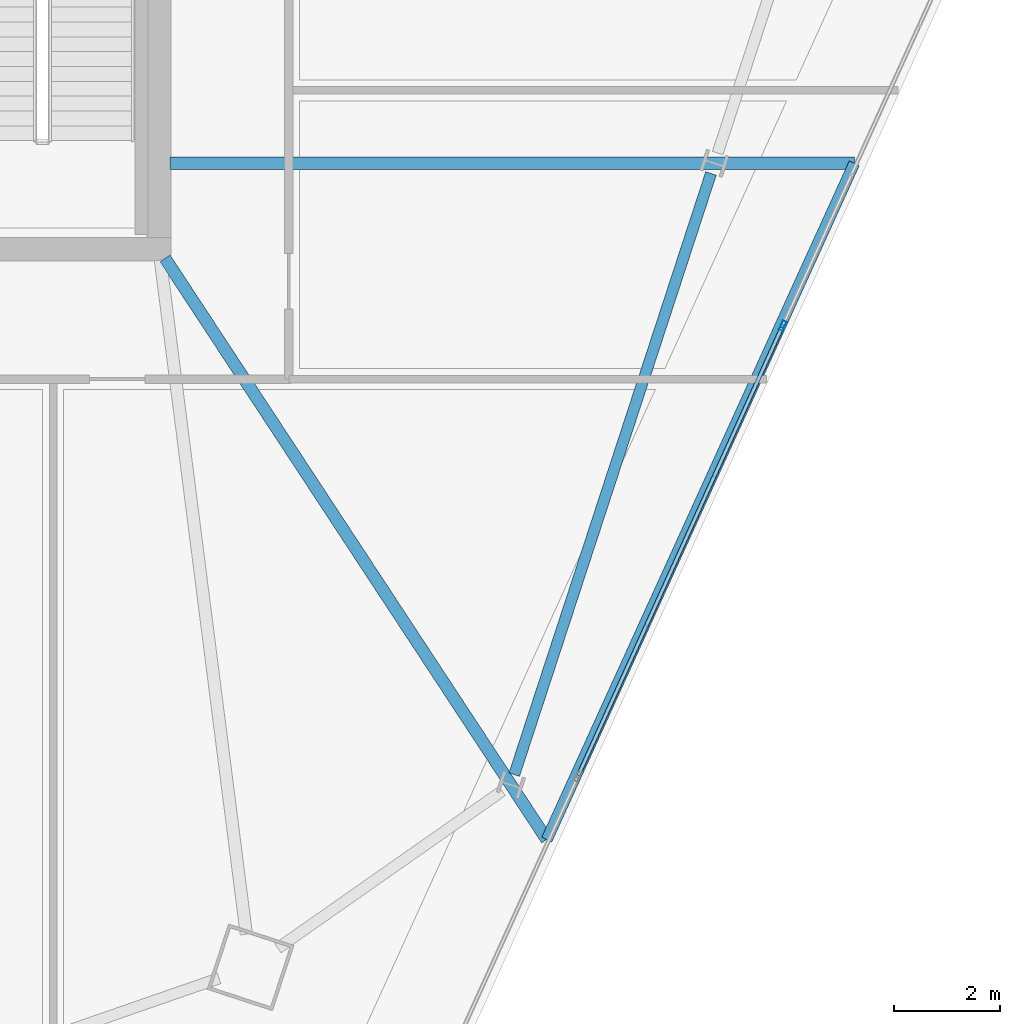
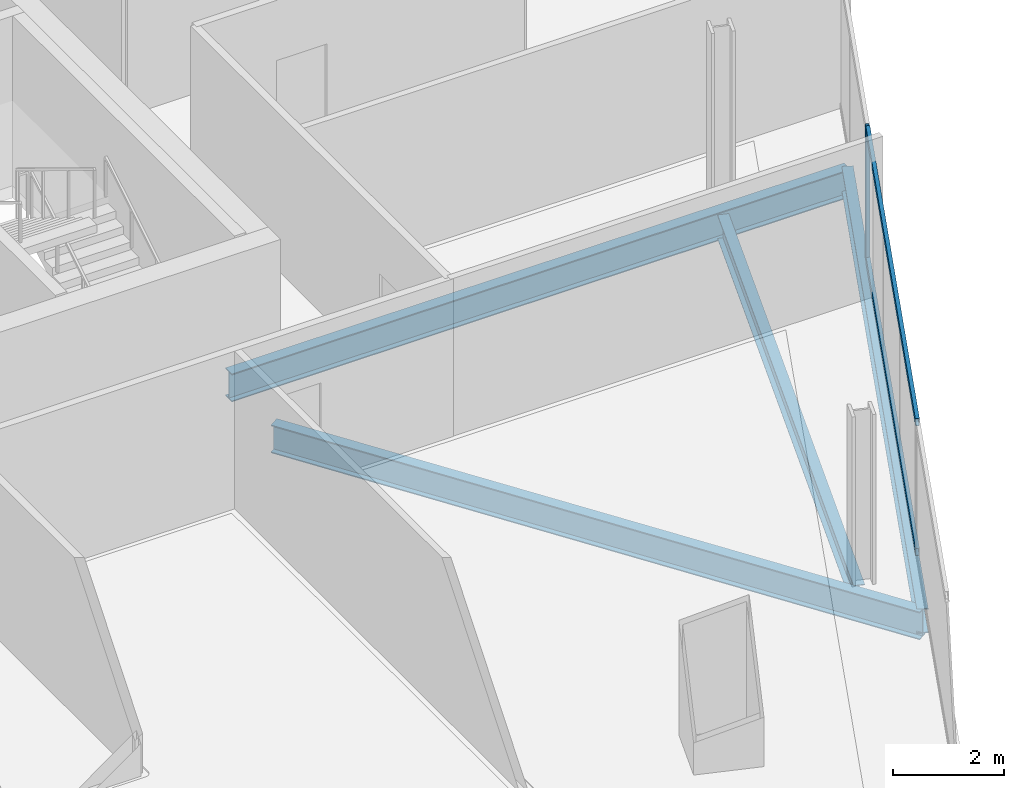
# One storey, part 10 of 26: 4 beams, 3 members, 1 element without a shape of its own.
"""IFC4 building model written with IfcOpenShell, lengths in metres."""

from ifc_helpers import new_model, si_unit, direction, frame, origin, origin_2d, place, context, subcontext, project, spatial, hollow_rectangle, i_section, extrude, material, material_profile, profile_set, type_object, element, aggregate, save


model = new_model("IFC4")

# Units and contexts
model_context = context("Model", 3, precision=1e-05, world=origin(), true_north=direction((0.0, 1.0)))
body_context = subcontext(model_context, "Body", "Model", "MODEL_VIEW")
ifc_project = project(units=[si_unit("LENGTHUNIT", "METRE"), si_unit("AREAUNIT", "SQUARE_METRE"), si_unit("VOLUMEUNIT", "CUBIC_METRE"), si_unit("PLANEANGLEUNIT", "RADIAN"), si_unit("MASSUNIT", "GRAM", prefix="KILO")], contexts=[model_context])

# Site, building, storey
site_placement = place(None, origin())
site = spatial("IfcSite", under=ifc_project, at=site_placement, CompositionType="ELEMENT")
building_placement = place(site_placement, origin())
building = spatial("IfcBuilding", under=site, at=building_placement, Name="Haldenkirk Collegiate Tower", CompositionType="ELEMENT")
storey_placement = place(building_placement, frame((0.0, 0.0, 248.699951171875)))
storey = spatial("IfcBuildingStorey", under=building, at=storey_placement, Name="L62", CompositionType="ELEMENT", Elevation=248.699951171875)

# Beams
ifc_material_1 = material(Name="Steel ASTM A992 Grade 50", Category="steel")
ifc_material_profile_1 = material_profile(ifc_material_1, i_section(OverallWidth=0.22998046875, OverallDepth=0.616943359375, WebThickness=0.01318359375, FlangeThickness=0.022216796875, at=origin_2d()), Name="W24X94")
ifc_profile_set_1 = profile_set([ifc_material_profile_1], Name="Steel ASTM A992 Grade 50")
beam_type_1 = type_object("IfcBeamType", Name="BM-GIRDER-W24X94", PredefinedType="BEAM", material=ifc_profile_set_1)
beam_1_placement = place(storey_placement, frame((52.320556640625, 6.857421875, -0.578369140625), z_axis=(-0.549091042964, 0.835762541956, 0.0), x_axis=(-0.835762541956, -0.549091042964, 0.0)))
element("IfcBeam", 1, at=beam_1_placement, inside=storey, type_object=beam_type_1, Name="L62 primary floor girder 05", PredefinedType="BEAM", context=body_context, shape_type="SweptSolid", body=[
    extrude(i_section(OverallWidth=0.22998046875, OverallDepth=0.616943359375, WebThickness=0.01318359375, FlangeThickness=0.022216796875, at=origin_2d()), origin(), (0.0, 0.0, 1.0), 13.127197265625),
])
beam_2_placement = place(storey_placement, frame((58.125244140625, 19.624267578125, -0.578369140625), z_axis=(-1.0, 0.0, 0.0), x_axis=(0.0, -1.0, 0.0)))
element("IfcBeam", 2, at=beam_2_placement, inside=storey, type_object=beam_type_1, Name="L62 primary floor girder 06", PredefinedType="BEAM", context=body_context, shape_type="SweptSolid", body=[
    extrude(i_section(OverallWidth=0.22998046875, OverallDepth=0.616943359375, WebThickness=0.01318359375, FlangeThickness=0.022216796875, at=origin_2d()), origin(), (0.0, 0.0, 1.0), 12.920166015625),
])
ifc_material_profile_2 = material_profile(ifc_material_1, i_section(OverallWidth=0.2099609375, OverallDepth=0.537109375, WebThickness=0.010986328125, FlangeThickness=0.017333984375, at=origin_2d()), Name="W21X68")
ifc_profile_set_2 = profile_set([ifc_material_profile_2], Name="Steel ASTM A992 Grade 50")
beam_type_2 = type_object("IfcBeamType", Name="BM-SPANDREL-W21X68", PredefinedType="SPANDREL", material=ifc_profile_set_2)
beam_3_placement = place(storey_placement, frame((51.7060546875, 8.081298828125, -0.538330078125), z_axis=(0.311010188249, 0.950406577631, 0.0), x_axis=(-0.950406577631, 0.311010188249, 0.0)))
element("IfcBeam", 3, at=beam_3_placement, inside=storey, type_object=beam_type_2, Name="L62 perimeter spandrel beam 02", PredefinedType="SPANDREL", context=body_context, shape_type="SweptSolid", body=[
    extrude(i_section(OverallWidth=0.2099609375, OverallDepth=0.537109375, WebThickness=0.010986328125, FlangeThickness=0.017333984375, at=origin_2d()), origin(), (0.0, 0.0, 1.0), 11.94287109375),
])
beam_4_placement = place(storey_placement, frame((52.320556640625, 6.857421875, -0.538330078125), z_axis=(0.413896063791, 0.910324144675, 0.0), x_axis=(-0.910324144675, 0.413896063791, 0.0)))
element("IfcBeam", 4, at=beam_4_placement, inside=storey, type_object=beam_type_2, Name="L62 outer facade edge beam 1", PredefinedType="SPANDREL", context=body_context, shape_type="SweptSolid", body=[
    extrude(i_section(OverallWidth=0.2099609375, OverallDepth=0.537109375, WebThickness=0.010986328125, FlangeThickness=0.017333984375, at=origin_2d()), origin(), (0.0, 0.0, 1.0), 14.0244140625),
])

# Curtain wall, members
ifc_material_2 = material(Name="Anodised architectural bronze aluminium", Category="aluminium")
curtain_wall_type = type_object("IfcCurtainWallType", Name="CW-SYS2-CONCAVE", PredefinedType="USERDEFINED", material=ifc_material_2)
curtain_wall_placement = place(storey_placement, origin())
curtain_wall = element("IfcCurtainWall", 5, at=curtain_wall_placement, inside=storey, type_object=curtain_wall_type, Name="L62 South concave recessed bronze-anodised curtain wall", ObjectType="UNITISED CURTAIN WALL", PredefinedType="USERDEFINED")
ifc_material_profile_3 = material_profile(ifc_material_2, hollow_rectangle(XDim=0.074951171875, YDim=0.18994140625, WallThickness=0.0048828125, at=origin_2d()), Name="CW-MUL-02")
ifc_profile_set_3 = profile_set([ifc_material_profile_3], Name="Anodised architectural bronze aluminium")
member_type_1 = type_object("IfcMemberType", Name="CW-MUL-02", PredefinedType="MULLION", material=ifc_profile_set_3)
member_1_placement = place(storey_placement, frame((56.7734375, 16.554931640625, 0.0), z_axis=(0.0, 0.0, 1.0), x_axis=(0.910323160651, -0.413898228049, 0.0)))
member_1 = element("IfcMember", 6, at=member_1_placement, type_object=member_type_1, Name="CW-02 mullion 3", PredefinedType="MULLION", context=body_context, shape_type="SweptSolid", body=[
    extrude(hollow_rectangle(XDim=0.074951171875, YDim=0.18994140625, WallThickness=0.0048828125, at=origin_2d()), origin(), (0.0, 0.0, 1.0), 2.93798828125),
])
ifc_material_profile_4 = material_profile(ifc_material_2, hollow_rectangle(XDim=0.074951171875, YDim=0.159912109375, WallThickness=0.0048828125, at=origin_2d()), Name="CW-TRN-02")
ifc_profile_set_4 = profile_set([ifc_material_profile_4], Name="Anodised architectural bronze aluminium")
member_type_2 = type_object("IfcMemberType", Name="CW-TRN-02", PredefinedType="USERDEFINED", material=ifc_profile_set_4)
member_2_placement = place(storey_placement, frame((56.758056640625, 16.520751953125, 0.03759765625), z_axis=(-0.413890202281, -0.910326809698, 0.0), x_axis=(0.910326809698, -0.413890202281, 0.0)))
member_2 = element("IfcMember", 7, at=member_2_placement, type_object=member_type_2, Name="CW-02 transom 3.1", ObjectType="TRANSOM", PredefinedType="USERDEFINED", context=body_context, shape_type="SweptSolid", body=[
    extrude(hollow_rectangle(XDim=0.074951171875, YDim=0.159912109375, WallThickness=0.0048828125, at=origin_2d()), origin(), (0.0, 0.0, 1.0), 9.275146484375),
])
member_3_placement = place(storey_placement, frame((56.758056640625, 16.520751953125, 2.900634765625), z_axis=(-0.413890202281, -0.910326809698, 0.0), x_axis=(0.910326809698, -0.413890202281, 0.0)))
member_3 = element("IfcMember", 8, at=member_3_placement, type_object=member_type_2, Name="CW-02 transom 3.2", ObjectType="TRANSOM", PredefinedType="USERDEFINED", context=body_context, shape_type="SweptSolid", body=[
    extrude(hollow_rectangle(XDim=0.074951171875, YDim=0.159912109375, WallThickness=0.0048828125, at=origin_2d()), origin(), (0.0, 0.0, 1.0), 9.275146484375),
])
aggregate(curtain_wall, [member_1, member_2, member_3])

save(model, "model.ifc")
